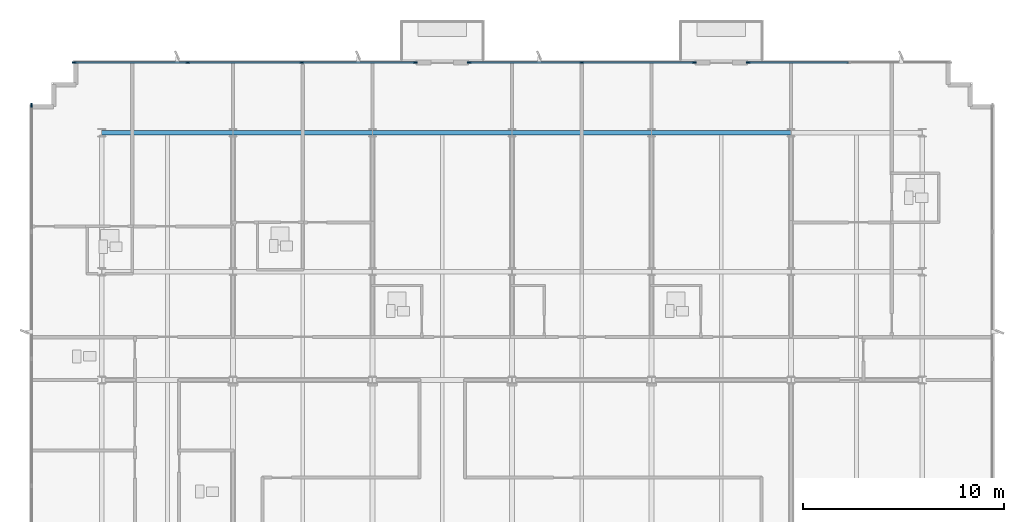
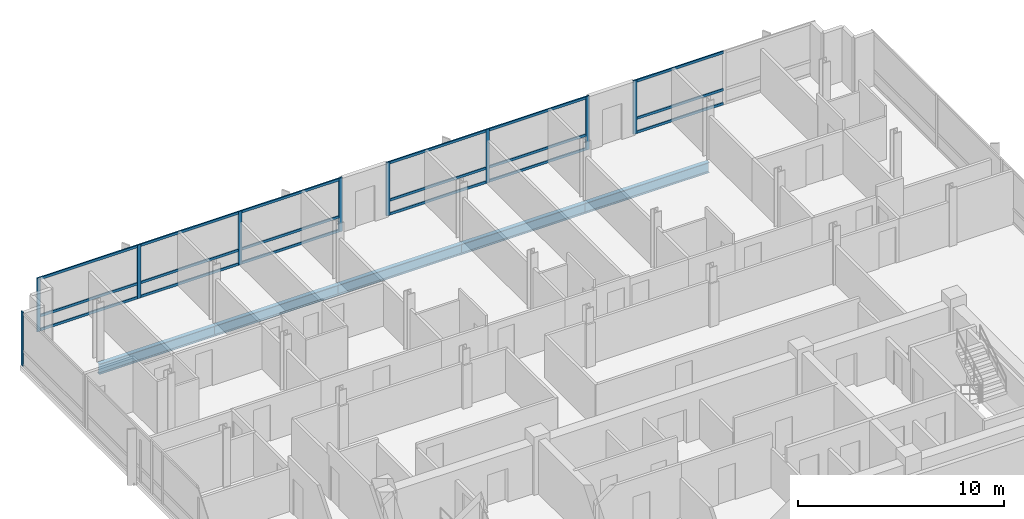
# One storey, part 5 of 14: 27 members, 5 beams, 4 elements without a shape of their own.
"""IFC4 building model written with IfcOpenShell, lengths in metres."""

from ifc_helpers import new_model, si_unit, direction, frame, origin, origin_2d, place, context, subcontext, project, spatial, rectangle, i_section, extrude, material, material_profile, profile_set, type_object, element, aggregate, save


model = new_model("IFC4")

# Units and contexts
model_context = context("Model", 3, precision=1e-05, world=origin(), true_north=direction((0.0, 1.0)))
body_context = subcontext(model_context, "Body", "Model", "MODEL_VIEW")
ifc_project = project(units=[si_unit("LENGTHUNIT", "METRE"), si_unit("AREAUNIT", "SQUARE_METRE"), si_unit("VOLUMEUNIT", "CUBIC_METRE"), si_unit("PLANEANGLEUNIT", "RADIAN"), si_unit("MASSUNIT", "GRAM", prefix="KILO")], contexts=[model_context])

# Site, building, storey
site_placement = place(None, origin())
site = spatial("IfcSite", under=ifc_project, at=site_placement, CompositionType="ELEMENT")
building_placement = place(site_placement, origin())
building = spatial("IfcBuilding", under=site, at=building_placement, Name="Solmavex Isthmus Hotel", CompositionType="ELEMENT")
storey_placement = place(building_placement, frame((0.0, 0.0, 252.300048828125)))
storey = spatial("IfcBuildingStorey", under=building, at=storey_placement, Name="L68", CompositionType="ELEMENT", Elevation=252.300048828125)

# Beams
ifc_material_1 = material(Name="Steel ASTM A992 Grade 50", Category="steel")
ifc_material_profile_1 = material_profile(ifc_material_1, i_section(OverallWidth=0.230224609375, OverallDepth=0.617431640625, WebThickness=0.01318359375, FlangeThickness=0.022216796875, FilletRadius=0.01513671875, at=origin_2d()), Name="W24X94")
ifc_profile_set_1 = profile_set([ifc_material_profile_1], Name="Steel ASTM A992 Grade 50")
beam_type = type_object("IfcBeamType", Name="BM-SP-W24X94", PredefinedType="SPANDREL", material=ifc_profile_set_1)
beam_placement = place(storey_placement, frame((-20.39990234375, 17.699951171875, -0.56884765625), z_axis=(1.0, 0.0, 0.0), x_axis=(0.0, 1.0, 0.0)))
element("IfcBeam", 1, at=beam_placement, inside=storey, type_object=beam_type, Name="Floor Girder L68-UG15", PredefinedType="SPANDREL", context=body_context, shape_type="SweptSolid", body=[
    extrude(i_section(OverallWidth=0.230224609375, OverallDepth=0.617431640625, WebThickness=0.01318359375, FlangeThickness=0.022216796875, FilletRadius=0.01513671875, at=origin_2d()), origin(), (0.0, 0.0, 1.0), 6.52783203125),
])
for number, where, z_axis, x_axis, name in (
    (2, (-13.8720703125, 17.699951171875, -0.56884765625), (1.0, 0.0, 0.0), (0.0, 1.0, 0.0), "Floor Girder L68-UG16"),
    (3, (-6.93603515625, 17.699951171875, -0.56884765625), (1.0, 0.0, 0.0), (0.0, 1.0, 0.0), "Floor Girder L68-UG17"),
    (4, (0.0, 17.699951171875, -0.56884765625), (1.0, 0.0, 0.0), (0.0, 1.0, 0.0), "Floor Girder L68-UG18"),
    (5, (6.93603515625, 17.699951171875, -0.56884765625), (1.0, 0.0, 0.0), (0.0, 1.0, 0.0), "Floor Girder L68-UG19"),
):
    element("IfcBeam", number, at=place(storey_placement, frame(where, z_axis=z_axis, x_axis=x_axis)), inside=storey, type_object=beam_type, Name=name, PredefinedType="SPANDREL", context=body_context, shape_type="SweptSolid", body=[
        extrude(i_section(OverallWidth=0.230224609375, OverallDepth=0.617431640625, WebThickness=0.01318359375, FlangeThickness=0.022216796875, FilletRadius=0.01513671875, at=origin_2d()), origin(), (0.0, 0.0, 1.0), 6.93603515625),
    ])

# Curtain wall, members
ifc_material_2 = material(Name="Aluminium alloy 6063-T6", Category="aluminium")
curtain_wall_type = type_object("IfcCurtainWallType", Name="CW-SYS-04", PredefinedType="NOTDEFINED", material=ifc_material_2)
curtain_wall_1_placement = place(storey_placement, origin())
curtain_wall_1 = element("IfcCurtainWall", 6, at=curtain_wall_1_placement, inside=storey, type_object=curtain_wall_type, Name="Stick Curtain Wall CWL-L68-N1", PredefinedType="NOTDEFINED")
ifc_material_profile_2 = material_profile(ifc_material_2, rectangle(XDim=0.074951171875, YDim=0.199951171875, at=origin_2d()), Name="CWM-75X200")
ifc_profile_set_2 = profile_set([ifc_material_profile_2], Name="Aluminium alloy 6063-T6")
member_type_1 = type_object("IfcMemberType", Name="CW-SYS-04-MUL", PredefinedType="MULLION", material=ifc_profile_set_2)
member_1_placement = place(storey_placement, frame((-21.762451171875, 21.179931640625, 0.0), z_axis=(0.0, 0.0, 1.0), x_axis=(0.0, 1.0, 0.0)))
member_1 = element("IfcMember", 7, at=member_1_placement, type_object=member_type_1, Name="CW-04 mullion 1", PredefinedType="MULLION", context=body_context, shape_type="SweptSolid", body=[
    extrude(rectangle(XDim=0.074951171875, YDim=0.199951171875, at=origin_2d()), origin(), (0.0, 0.0, 1.0), 3.18994140625),
])
member_2_placement = place(storey_placement, frame((-16.12255859375, 21.179931640625, 0.0), z_axis=(0.0, 0.0, 1.0), x_axis=(0.0, 1.0, 0.0)))
member_2 = element("IfcMember", 8, at=member_2_placement, type_object=member_type_1, Name="CW-04 mullion 2", PredefinedType="MULLION", context=body_context, shape_type="SweptSolid", body=[
    extrude(rectangle(XDim=0.074951171875, YDim=0.199951171875, at=origin_2d()), origin(), (0.0, 0.0, 1.0), 3.18994140625),
])
member_3_placement = place(storey_placement, frame((-10.4453125, 21.179931640625, 0.0), z_axis=(0.0, 0.0, 1.0), x_axis=(0.0, 1.0, 0.0)))
member_3 = element("IfcMember", 9, at=member_3_placement, type_object=member_type_1, Name="CW-04 mullion 3", PredefinedType="MULLION", context=body_context, shape_type="SweptSolid", body=[
    extrude(rectangle(XDim=0.074951171875, YDim=0.199951171875, at=origin_2d()), origin(), (0.0, 0.0, 1.0), 3.18994140625),
])
member_4_placement = place(storey_placement, frame((-4.805419921875, 21.179931640625, 0.0), z_axis=(0.0, 0.0, 1.0), x_axis=(0.0, 1.0, 0.0)))
member_4 = element("IfcMember", 10, at=member_4_placement, type_object=member_type_1, Name="CW-04 mullion 4", PredefinedType="MULLION", context=body_context, shape_type="SweptSolid", body=[
    extrude(rectangle(XDim=0.074951171875, YDim=0.199951171875, at=origin_2d()), origin(), (0.0, 0.0, 1.0), 3.18994140625),
])

curtain_wall_2_placement = place(storey_placement, origin())
curtain_wall_2 = element("IfcCurtainWall", 11, at=curtain_wall_2_placement, inside=storey, type_object=curtain_wall_type, Name="Stick Curtain Wall CWL-L68-N2", PredefinedType="NOTDEFINED")
member_5_placement = place(storey_placement, frame((-2.130615234375, 21.179931640625, 0.0), z_axis=(0.0, 0.0, 1.0), x_axis=(0.0, 1.0, 0.0)))
member_5 = element("IfcMember", 12, at=member_5_placement, type_object=member_type_1, Name="CW-04 mullion 1", PredefinedType="MULLION", context=body_context, shape_type="SweptSolid", body=[
    extrude(rectangle(XDim=0.074951171875, YDim=0.199951171875, at=origin_2d()), origin(), (0.0, 0.0, 1.0), 3.18994140625),
])
member_6_placement = place(storey_placement, frame((3.468017578125, 21.179931640625, 0.0), z_axis=(0.0, 0.0, 1.0), x_axis=(0.0, 1.0, 0.0)))
member_6 = element("IfcMember", 13, at=member_6_placement, type_object=member_type_1, Name="CW-04 mullion 2", PredefinedType="MULLION", context=body_context, shape_type="SweptSolid", body=[
    extrude(rectangle(XDim=0.074951171875, YDim=0.199951171875, at=origin_2d()), origin(), (0.0, 0.0, 1.0), 3.18994140625),
])
member_7_placement = place(storey_placement, frame((9.06640625, 21.179931640625, 0.0), z_axis=(0.0, 0.0, 1.0), x_axis=(0.0, 1.0, 0.0)))
member_7 = element("IfcMember", 14, at=member_7_placement, type_object=member_type_1, Name="CW-04 mullion 3", PredefinedType="MULLION", context=body_context, shape_type="SweptSolid", body=[
    extrude(rectangle(XDim=0.074951171875, YDim=0.199951171875, at=origin_2d()), origin(), (0.0, 0.0, 1.0), 3.18994140625),
])

# Curtain wall, member
curtain_wall_3_placement = place(storey_placement, origin())
curtain_wall_3 = element("IfcCurtainWall", 15, at=curtain_wall_3_placement, inside=storey, type_object=curtain_wall_type, Name="Stick Curtain Wall CWL-L68-N3", PredefinedType="NOTDEFINED")
member_8_placement = place(storey_placement, frame((11.741455078125, 21.179931640625, 0.0), z_axis=(0.0, 0.0, 1.0), x_axis=(0.0, 1.0, 0.0)))
member_8 = element("IfcMember", 16, at=member_8_placement, type_object=member_type_1, Name="CW-04 mullion 1", PredefinedType="MULLION", context=body_context, shape_type="SweptSolid", body=[
    extrude(rectangle(XDim=0.074951171875, YDim=0.199951171875, at=origin_2d()), origin(), (0.0, 0.0, 1.0), 3.18994140625),
])

curtain_wall_4_placement = place(storey_placement, origin())
curtain_wall_4 = element("IfcCurtainWall", 17, at=curtain_wall_4_placement, inside=storey, type_object=curtain_wall_type, Name="Stick Curtain Wall CWL-L68-W1", PredefinedType="NOTDEFINED")
member_9_placement = place(storey_placement, frame((-23.8798828125, 19.0625, 0.0), z_axis=(0.0, 0.0, 1.0), x_axis=(-1.0, 0.0, 0.0)))
member_9 = element("IfcMember", 18, at=member_9_placement, type_object=member_type_1, Name="CW-04 mullion 6", PredefinedType="MULLION", context=body_context, shape_type="SweptSolid", body=[
    extrude(rectangle(XDim=0.074951171875, YDim=0.199951171875, at=origin_2d()), origin(), (0.0, 0.0, 1.0), 3.18994140625),
])
aggregate(curtain_wall_4, [member_9])

# Member
ifc_material_profile_3 = material_profile(ifc_material_2, rectangle(XDim=0.074951171875, YDim=0.14990234375, at=origin_2d()), Name="CWT-75X150")
ifc_profile_set_3 = profile_set([ifc_material_profile_3], Name="Aluminium alloy 6063-T6")
member_type_2 = type_object("IfcMemberType", Name="CW-SYS-04-TRN", PredefinedType="USERDEFINED", material=ifc_profile_set_3)
member_10_placement = place(storey_placement, frame((-21.72509765625, 21.179931640625, 0.074951171875), z_axis=(1.0, 0.0, 0.0), x_axis=(0.0, 1.0, 0.0)))
member_10 = element("IfcMember", 19, at=member_10_placement, type_object=member_type_2, Name="CW-04 transom 1.1", ObjectType="TRANSOM", PredefinedType="USERDEFINED", context=body_context, shape_type="SweptSolid", body=[
    extrude(rectangle(XDim=0.074951171875, YDim=0.14990234375, at=origin_2d()), origin(), (0.0, 0.0, 1.0), 5.56494140625),
])

member_11_placement = place(storey_placement, frame((-21.72509765625, 21.179931640625, 0.89990234375), z_axis=(1.0, 0.0, 0.0), x_axis=(0.0, 1.0, 0.0)))
member_11 = element("IfcMember", 20, at=member_11_placement, type_object=member_type_2, Name="CW-04 transom 1.2", ObjectType="TRANSOM", PredefinedType="USERDEFINED", context=body_context, shape_type="SweptSolid", body=[
    extrude(rectangle(XDim=0.074951171875, YDim=0.14990234375, at=origin_2d()), origin(), (0.0, 0.0, 1.0), 5.56494140625),
])

member_12_placement = place(storey_placement, frame((-21.72509765625, 21.179931640625, 3.114990234375), z_axis=(1.0, 0.0, 0.0), x_axis=(0.0, 1.0, 0.0)))
member_12 = element("IfcMember", 21, at=member_12_placement, type_object=member_type_2, Name="CW-04 transom 1.3", ObjectType="TRANSOM", PredefinedType="USERDEFINED", context=body_context, shape_type="SweptSolid", body=[
    extrude(rectangle(XDim=0.074951171875, YDim=0.14990234375, at=origin_2d()), origin(), (0.0, 0.0, 1.0), 5.56494140625),
])

member_13_placement = place(storey_placement, frame((-16.085205078125, 21.179931640625, 0.074951171875), z_axis=(1.0, 0.0, 0.0), x_axis=(0.0, 1.0, 0.0)))
member_13 = element("IfcMember", 22, at=member_13_placement, type_object=member_type_2, Name="CW-04 transom 2.1", ObjectType="TRANSOM", PredefinedType="USERDEFINED", context=body_context, shape_type="SweptSolid", body=[
    extrude(rectangle(XDim=0.074951171875, YDim=0.14990234375, at=origin_2d()), origin(), (0.0, 0.0, 1.0), 5.602294921875),
])

member_14_placement = place(storey_placement, frame((-16.085205078125, 21.179931640625, 0.89990234375), z_axis=(1.0, 0.0, 0.0), x_axis=(0.0, 1.0, 0.0)))
member_14 = element("IfcMember", 23, at=member_14_placement, type_object=member_type_2, Name="CW-04 transom 2.2", ObjectType="TRANSOM", PredefinedType="USERDEFINED", context=body_context, shape_type="SweptSolid", body=[
    extrude(rectangle(XDim=0.074951171875, YDim=0.14990234375, at=origin_2d()), origin(), (0.0, 0.0, 1.0), 5.602294921875),
])

member_15_placement = place(storey_placement, frame((-16.085205078125, 21.179931640625, 3.114990234375), z_axis=(1.0, 0.0, 0.0), x_axis=(0.0, 1.0, 0.0)))
member_15 = element("IfcMember", 24, at=member_15_placement, type_object=member_type_2, Name="CW-04 transom 2.3", ObjectType="TRANSOM", PredefinedType="USERDEFINED", context=body_context, shape_type="SweptSolid", body=[
    extrude(rectangle(XDim=0.074951171875, YDim=0.14990234375, at=origin_2d()), origin(), (0.0, 0.0, 1.0), 5.602294921875),
])

member_16_placement = place(storey_placement, frame((-10.40771484375, 21.179931640625, 0.074951171875), z_axis=(1.0, 0.0, 0.0), x_axis=(0.0, 1.0, 0.0)))
member_16 = element("IfcMember", 25, at=member_16_placement, type_object=member_type_2, Name="CW-04 transom 3.1", ObjectType="TRANSOM", PredefinedType="USERDEFINED", context=body_context, shape_type="SweptSolid", body=[
    extrude(rectangle(XDim=0.074951171875, YDim=0.14990234375, at=origin_2d()), origin(), (0.0, 0.0, 1.0), 5.564697265625),
])

member_17_placement = place(storey_placement, frame((-10.40771484375, 21.179931640625, 0.89990234375), z_axis=(1.0, 0.0, 0.0), x_axis=(0.0, 1.0, 0.0)))
member_17 = element("IfcMember", 26, at=member_17_placement, type_object=member_type_2, Name="CW-04 transom 3.2", ObjectType="TRANSOM", PredefinedType="USERDEFINED", context=body_context, shape_type="SweptSolid", body=[
    extrude(rectangle(XDim=0.074951171875, YDim=0.14990234375, at=origin_2d()), origin(), (0.0, 0.0, 1.0), 5.564697265625),
])

member_18_placement = place(storey_placement, frame((-10.40771484375, 21.179931640625, 3.114990234375), z_axis=(1.0, 0.0, 0.0), x_axis=(0.0, 1.0, 0.0)))
member_18 = element("IfcMember", 27, at=member_18_placement, type_object=member_type_2, Name="CW-04 transom 3.3", ObjectType="TRANSOM", PredefinedType="USERDEFINED", context=body_context, shape_type="SweptSolid", body=[
    extrude(rectangle(XDim=0.074951171875, YDim=0.14990234375, at=origin_2d()), origin(), (0.0, 0.0, 1.0), 5.564697265625),
])

aggregate(curtain_wall_1, [member_1, member_2, member_3, member_4, member_10, member_11, member_12, member_13, member_14, member_15, member_16, member_17, member_18])

member_19_placement = place(storey_placement, frame((-2.093017578125, 21.179931640625, 0.074951171875), z_axis=(1.0, 0.0, 0.0), x_axis=(0.0, 1.0, 0.0)))
member_19 = element("IfcMember", 28, at=member_19_placement, type_object=member_type_2, Name="CW-04 transom 1.1", ObjectType="TRANSOM", PredefinedType="USERDEFINED", context=body_context, shape_type="SweptSolid", body=[
    extrude(rectangle(XDim=0.074951171875, YDim=0.14990234375, at=origin_2d()), origin(), (0.0, 0.0, 1.0), 5.5234375),
])

member_20_placement = place(storey_placement, frame((-2.093017578125, 21.179931640625, 0.89990234375), z_axis=(1.0, 0.0, 0.0), x_axis=(0.0, 1.0, 0.0)))
member_20 = element("IfcMember", 29, at=member_20_placement, type_object=member_type_2, Name="CW-04 transom 1.2", ObjectType="TRANSOM", PredefinedType="USERDEFINED", context=body_context, shape_type="SweptSolid", body=[
    extrude(rectangle(XDim=0.074951171875, YDim=0.14990234375, at=origin_2d()), origin(), (0.0, 0.0, 1.0), 5.5234375),
])

member_21_placement = place(storey_placement, frame((-2.093017578125, 21.179931640625, 3.114990234375), z_axis=(1.0, 0.0, 0.0), x_axis=(0.0, 1.0, 0.0)))
member_21 = element("IfcMember", 30, at=member_21_placement, type_object=member_type_2, Name="CW-04 transom 1.3", ObjectType="TRANSOM", PredefinedType="USERDEFINED", context=body_context, shape_type="SweptSolid", body=[
    extrude(rectangle(XDim=0.074951171875, YDim=0.14990234375, at=origin_2d()), origin(), (0.0, 0.0, 1.0), 5.5234375),
])

member_22_placement = place(storey_placement, frame((3.505615234375, 21.179931640625, 0.074951171875), z_axis=(1.0, 0.0, 0.0), x_axis=(0.0, 1.0, 0.0)))
member_22 = element("IfcMember", 31, at=member_22_placement, type_object=member_type_2, Name="CW-04 transom 2.1", ObjectType="TRANSOM", PredefinedType="USERDEFINED", context=body_context, shape_type="SweptSolid", body=[
    extrude(rectangle(XDim=0.074951171875, YDim=0.14990234375, at=origin_2d()), origin(), (0.0, 0.0, 1.0), 5.5234375),
])

member_23_placement = place(storey_placement, frame((3.505615234375, 21.179931640625, 0.89990234375), z_axis=(1.0, 0.0, 0.0), x_axis=(0.0, 1.0, 0.0)))
member_23 = element("IfcMember", 32, at=member_23_placement, type_object=member_type_2, Name="CW-04 transom 2.2", ObjectType="TRANSOM", PredefinedType="USERDEFINED", context=body_context, shape_type="SweptSolid", body=[
    extrude(rectangle(XDim=0.074951171875, YDim=0.14990234375, at=origin_2d()), origin(), (0.0, 0.0, 1.0), 5.5234375),
])

member_24_placement = place(storey_placement, frame((3.505615234375, 21.179931640625, 3.114990234375), z_axis=(1.0, 0.0, 0.0), x_axis=(0.0, 1.0, 0.0)))
member_24 = element("IfcMember", 33, at=member_24_placement, type_object=member_type_2, Name="CW-04 transom 2.3", ObjectType="TRANSOM", PredefinedType="USERDEFINED", context=body_context, shape_type="SweptSolid", body=[
    extrude(rectangle(XDim=0.074951171875, YDim=0.14990234375, at=origin_2d()), origin(), (0.0, 0.0, 1.0), 5.5234375),
])

aggregate(curtain_wall_2, [member_5, member_6, member_7, member_19, member_20, member_21, member_22, member_23, member_24])

member_25_placement = place(storey_placement, frame((11.779052734375, 21.179931640625, 0.074951171875), z_axis=(1.0, 0.0, 0.0), x_axis=(0.0, 1.0, 0.0)))
member_25 = element("IfcMember", 34, at=member_25_placement, type_object=member_type_2, Name="CW-04 transom 1.1", ObjectType="TRANSOM", PredefinedType="USERDEFINED", context=body_context, shape_type="SweptSolid", body=[
    extrude(rectangle(XDim=0.074951171875, YDim=0.14990234375, at=origin_2d()), origin(), (0.0, 0.0, 1.0), 4.935546875),
])

member_26_placement = place(storey_placement, frame((11.779052734375, 21.179931640625, 0.89990234375), z_axis=(1.0, 0.0, 0.0), x_axis=(0.0, 1.0, 0.0)))
member_26 = element("IfcMember", 35, at=member_26_placement, type_object=member_type_2, Name="CW-04 transom 1.2", ObjectType="TRANSOM", PredefinedType="USERDEFINED", context=body_context, shape_type="SweptSolid", body=[
    extrude(rectangle(XDim=0.074951171875, YDim=0.14990234375, at=origin_2d()), origin(), (0.0, 0.0, 1.0), 4.935546875),
])

member_27_placement = place(storey_placement, frame((11.779052734375, 21.179931640625, 3.114990234375), z_axis=(1.0, 0.0, 0.0), x_axis=(0.0, 1.0, 0.0)))
member_27 = element("IfcMember", 36, at=member_27_placement, type_object=member_type_2, Name="CW-04 transom 1.3", ObjectType="TRANSOM", PredefinedType="USERDEFINED", context=body_context, shape_type="SweptSolid", body=[
    extrude(rectangle(XDim=0.074951171875, YDim=0.14990234375, at=origin_2d()), origin(), (0.0, 0.0, 1.0), 4.935546875),
])

aggregate(curtain_wall_3, [member_8, member_25, member_26, member_27])

save(model, "model.ifc")
